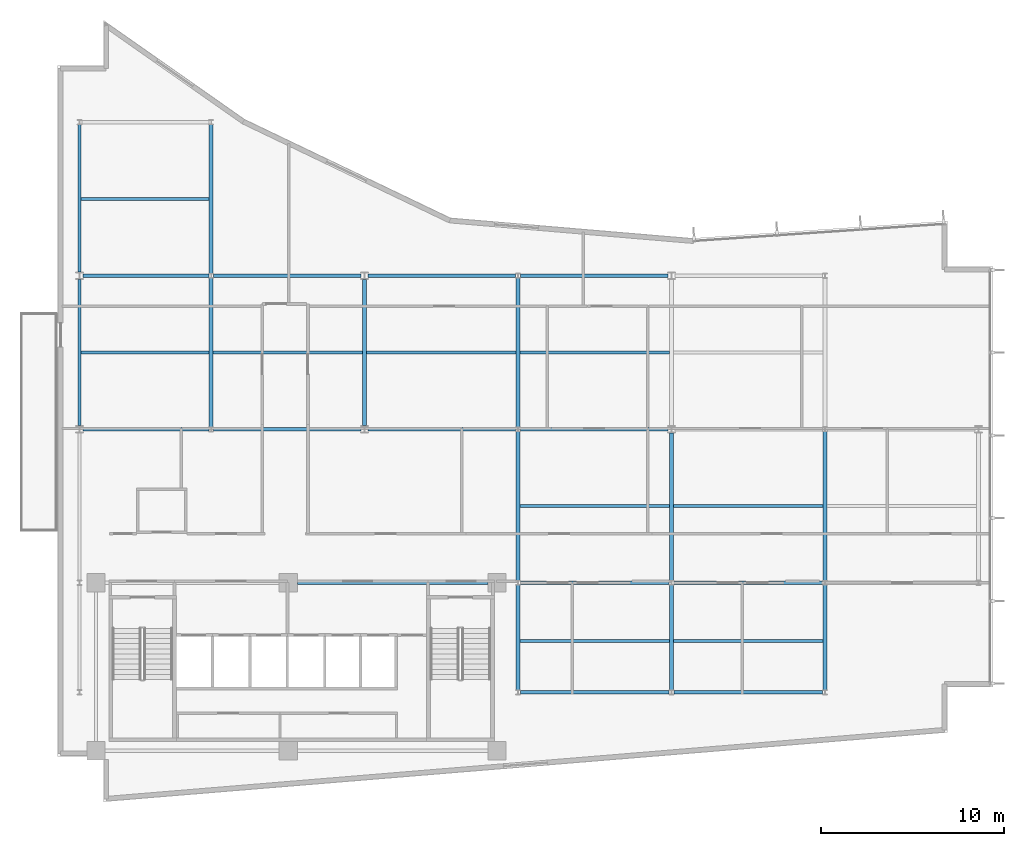
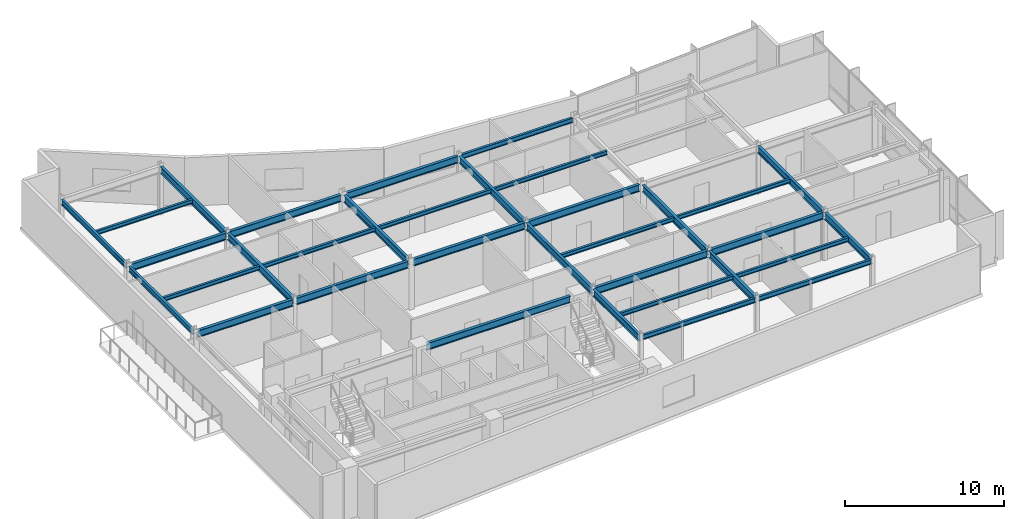
# One storey, part 4 of 15: 34 beams.
"""IFC4 building model written with IfcOpenShell, lengths in metres."""

from ifc_helpers import new_model, si_unit, direction, frame, origin, origin_2d, place, context, subcontext, project, spatial, i_section, extrude, material, material_profile, profile_set, type_object, element, save


model = new_model("IFC4")

# Units and contexts
model_context = context("Model", 3, precision=1e-05, world=origin(), true_north=direction((0.0, 1.0)))
body_context = subcontext(model_context, "Body", "Model", "MODEL_VIEW")
ifc_project = project(units=[si_unit("LENGTHUNIT", "METRE"), si_unit("AREAUNIT", "SQUARE_METRE"), si_unit("VOLUMEUNIT", "CUBIC_METRE"), si_unit("PLANEANGLEUNIT", "RADIAN"), si_unit("MASSUNIT", "GRAM", prefix="KILO")], contexts=[model_context])

# Site, building, storey
site_placement = place(None, origin())
site = spatial("IfcSite", under=ifc_project, at=site_placement, CompositionType="ELEMENT")
building_placement = place(site_placement, origin())
building = spatial("IfcBuilding", under=site, at=building_placement, Name="Varnakote Quay Hospital", CompositionType="ELEMENT")
storey_placement = place(building_placement, frame((0.0, 0.0, 207.89990234375)))
storey = spatial("IfcBuildingStorey", under=building, at=storey_placement, Name="L51", CompositionType="ELEMENT", Elevation=207.89990234375)

# Beams
ifc_material_1 = material(Name="Structural steel AS/NZS 3679.1 Grade 350 L0 (fy 340 MPa)", Category="steel")
ifc_material_profile_1 = material_profile(ifc_material_1, i_section(OverallWidth=0.208984375, OverallDepth=0.528076171875, WebThickness=0.009521484375, FlangeThickness=0.01318359375, FilletRadius=0.013916015625, at=origin_2d()), Name="530UB82.0")
ifc_profile_set_1 = profile_set([ifc_material_profile_1], Name="Structural steel AS/NZS 3679.1 Grade 350 L0 (fy 340 MPa)")
beam_type_1 = type_object("IfcBeamType", Name="BM-STL-530UB82-0", PredefinedType="BEAM", material=ifc_profile_set_1)
beam_1_placement = place(storey_placement, frame((8.39990234375, 20.530029296875, 3.446044921875), z_axis=(0.0, 1.0, 0.0), x_axis=(-1.0, 0.0, 0.0)))
element("IfcBeam", 1, at=beam_1_placement, inside=storey, type_object=beam_type_1, Name="L51 Primary Tie Beam", PredefinedType="BEAM", context=body_context, shape_type="SweptSolid", body=[
    extrude(i_section(OverallWidth=0.208984375, OverallDepth=0.528076171875, WebThickness=0.009521484375, FlangeThickness=0.01318359375, FilletRadius=0.013916015625, at=origin_2d()), origin(), (0.0, 0.0, 1.0), 8.139892578125),
])
beam_2_placement = place(storey_placement, frame((8.39990234375, 28.929931640625, 3.446044921875), z_axis=(0.0, 1.0, 0.0), x_axis=(-1.0, 0.0, 0.0)))
element("IfcBeam", 2, at=beam_2_placement, inside=storey, type_object=beam_type_1, Name="L51 Primary Tie Beam", PredefinedType="BEAM", context=body_context, shape_type="SweptSolid", body=[
    extrude(i_section(OverallWidth=0.208984375, OverallDepth=0.528076171875, WebThickness=0.009521484375, FlangeThickness=0.01318359375, FilletRadius=0.013916015625, at=origin_2d()), origin(), (0.0, 0.0, 1.0), 8.14013671875),
])
beam_3_placement = place(storey_placement, frame((16.800048828125, 20.60205078125, 3.446044921875), z_axis=(0.0, 1.0, 0.0), x_axis=(-1.0, 0.0, 0.0)))
element("IfcBeam", 3, at=beam_3_placement, inside=storey, type_object=beam_type_1, Name="L51 Primary Tie Beam", PredefinedType="BEAM", context=body_context, shape_type="SweptSolid", body=[
    extrude(i_section(OverallWidth=0.208984375, OverallDepth=0.528076171875, WebThickness=0.009521484375, FlangeThickness=0.01318359375, FilletRadius=0.013916015625, at=origin_2d()), origin(), (0.0, 0.0, 1.0), 7.995849609375),
])
beam_4_placement = place(storey_placement, frame((25.199951171875, 6.1298828125, 3.446044921875), z_axis=(0.0, 1.0, 0.0), x_axis=(-1.0, 0.0, 0.0)))
element("IfcBeam", 4, at=beam_4_placement, inside=storey, type_object=beam_type_1, Name="L51 Primary Tie Beam", PredefinedType="BEAM", context=body_context, shape_type="SweptSolid", body=[
    extrude(i_section(OverallWidth=0.208984375, OverallDepth=0.528076171875, WebThickness=0.009521484375, FlangeThickness=0.01318359375, FilletRadius=0.013916015625, at=origin_2d()), origin(), (0.0, 0.0, 1.0), 5.740234375),
])
beam_5_placement = place(storey_placement, frame((25.199951171875, 12.1298828125, 3.446044921875), z_axis=(0.0, 1.0, 0.0), x_axis=(-1.0, 0.0, 0.0)))
element("IfcBeam", 5, at=beam_5_placement, inside=storey, type_object=beam_type_1, Name="L51 Primary Tie Beam", PredefinedType="BEAM", context=body_context, shape_type="SweptSolid", body=[
    extrude(i_section(OverallWidth=0.208984375, OverallDepth=0.528076171875, WebThickness=0.009521484375, FlangeThickness=0.01318359375, FilletRadius=0.013916015625, at=origin_2d()), origin(), (0.0, 0.0, 1.0), 8.14013671875),
])
beam_6_placement = place(storey_placement, frame((25.199951171875, 20.530029296875, 3.446044921875), z_axis=(0.0, 1.0, 0.0), x_axis=(-1.0, 0.0, 0.0)))
element("IfcBeam", 6, at=beam_6_placement, inside=storey, type_object=beam_type_1, Name="L51 Primary Tie Beam", PredefinedType="BEAM", context=body_context, shape_type="SweptSolid", body=[
    extrude(i_section(OverallWidth=0.208984375, OverallDepth=0.528076171875, WebThickness=0.009521484375, FlangeThickness=0.01318359375, FilletRadius=0.013916015625, at=origin_2d()), origin(), (0.0, 0.0, 1.0), 8.139892578125),
])
beam_7_placement = place(storey_placement, frame((33.60009765625, 6.1298828125, 3.446044921875), z_axis=(0.0, 1.0, 0.0), x_axis=(-1.0, 0.0, 0.0)))
element("IfcBeam", 7, at=beam_7_placement, inside=storey, type_object=beam_type_1, Name="L51 Primary Tie Beam", PredefinedType="BEAM", context=body_context, shape_type="SweptSolid", body=[
    extrude(i_section(OverallWidth=0.208984375, OverallDepth=0.528076171875, WebThickness=0.009521484375, FlangeThickness=0.01318359375, FilletRadius=0.013916015625, at=origin_2d()), origin(), (0.0, 0.0, 1.0), 5.740234375),
])
beam_8_placement = place(storey_placement, frame((33.60009765625, 12.1298828125, 3.446044921875), z_axis=(0.0, 1.0, 0.0), x_axis=(-1.0, 0.0, 0.0)))
element("IfcBeam", 8, at=beam_8_placement, inside=storey, type_object=beam_type_1, Name="L51 Primary Tie Beam", PredefinedType="BEAM", context=body_context, shape_type="SweptSolid", body=[
    extrude(i_section(OverallWidth=0.208984375, OverallDepth=0.528076171875, WebThickness=0.009521484375, FlangeThickness=0.01318359375, FilletRadius=0.013916015625, at=origin_2d()), origin(), (0.0, 0.0, 1.0), 8.068115234375),
])
beam_9_placement = place(storey_placement, frame((42.0, 6.1298828125, 3.446044921875), z_axis=(0.0, 1.0, 0.0), x_axis=(-1.0, 0.0, 0.0)))
element("IfcBeam", 9, at=beam_9_placement, inside=storey, type_object=beam_type_1, Name="L51 Primary Tie Beam", PredefinedType="BEAM", context=body_context, shape_type="SweptSolid", body=[
    extrude(i_section(OverallWidth=0.208984375, OverallDepth=0.528076171875, WebThickness=0.009521484375, FlangeThickness=0.01318359375, FilletRadius=0.013916015625, at=origin_2d()), origin(), (0.0, 0.0, 1.0), 5.740234375),
])
beam_10_placement = place(storey_placement, frame((42.0, 12.1298828125, 3.446044921875), z_axis=(0.0, 1.0, 0.0), x_axis=(-1.0, 0.0, 0.0)))
element("IfcBeam", 10, at=beam_10_placement, inside=storey, type_object=beam_type_1, Name="L51 Primary Tie Beam", PredefinedType="BEAM", context=body_context, shape_type="SweptSolid", body=[
    extrude(i_section(OverallWidth=0.208984375, OverallDepth=0.528076171875, WebThickness=0.009521484375, FlangeThickness=0.01318359375, FilletRadius=0.013916015625, at=origin_2d()), origin(), (0.0, 0.0, 1.0), 8.14013671875),
])
ifc_material_2 = material(Name="Structural steel AS/NZS 3679.1 Grade 350 L0 (fy 340 MPa)", Category="steel")
ifc_material_profile_2 = material_profile(ifc_material_2, i_section(OverallWidth=0.208984375, OverallDepth=0.532958984375, WebThickness=0.01025390625, FlangeThickness=0.015625, FilletRadius=0.013916015625, at=origin_2d()), Name="530UB92.4")
ifc_profile_set_2 = profile_set([ifc_material_profile_2], Name="Structural steel AS/NZS 3679.1 Grade 350 L0 (fy 340 MPa)")
beam_type_2 = type_object("IfcBeamType", Name="BM-STL-530UB92-4", PredefinedType="BEAM", material=ifc_profile_set_2)
beam_11_placement = place(storey_placement, frame((13.1201171875, 12.0, 3.443603515625), z_axis=(1.0, 0.0, 0.0), x_axis=(0.0, 1.0, 0.0)))
element("IfcBeam", 11, at=beam_11_placement, inside=storey, type_object=beam_type_2, Name="L51 Primary Floor Beam", PredefinedType="BEAM", context=body_context, shape_type="SweptSolid", body=[
    extrude(i_section(OverallWidth=0.208984375, OverallDepth=0.532958984375, WebThickness=0.01025390625, FlangeThickness=0.015625, FilletRadius=0.013916015625, at=origin_2d()), origin(), (0.0, 0.0, 1.0), 10.429931640625),
])
for number, where, z_axis, x_axis, name in (
    (12, (25.327880859375, 12.0, 3.443603515625), (1.0, 0.0, 0.0), (0.0, 1.0, 0.0), "L51 Primary Floor Beam"),
    (13, (33.72802734375, 12.0, 3.443603515625), (1.0, 0.0, 0.0), (0.0, 1.0, 0.0), "L51 Primary Floor Beam"),
):
    element("IfcBeam", number, at=place(storey_placement, frame(where, z_axis=z_axis, x_axis=x_axis)), inside=storey, type_object=beam_type_2, Name=name, PredefinedType="BEAM", context=body_context, shape_type="SweptSolid", body=[
        extrude(i_section(OverallWidth=0.208984375, OverallDepth=0.532958984375, WebThickness=0.01025390625, FlangeThickness=0.015625, FilletRadius=0.013916015625, at=origin_2d()), origin(), (0.0, 0.0, 1.0), 8.14404296875),
    ])
beam_12_placement = place(storey_placement, frame((1.39990234375, 20.39990234375, 3.443603515625), z_axis=(1.0, 0.0, 0.0), x_axis=(0.0, 1.0, 0.0)))
element("IfcBeam", 14, at=beam_12_placement, inside=storey, type_object=beam_type_2, Name="L51 Primary Floor Beam", PredefinedType="BEAM", context=body_context, shape_type="SweptSolid", body=[
    extrude(i_section(OverallWidth=0.208984375, OverallDepth=0.532958984375, WebThickness=0.01025390625, FlangeThickness=0.015625, FilletRadius=0.013916015625, at=origin_2d()), origin(), (0.0, 0.0, 1.0), 6.8720703125),
])
for number, where, z_axis, x_axis, name in (
    (15, (8.528076171875, 20.39990234375, 3.443603515625), (1.0, 0.0, 0.0), (0.0, 1.0, 0.0), "L51 Primary Floor Beam"),
    (16, (17.0, 20.39990234375, 3.443603515625), (1.0, 0.0, 0.0), (0.0, 1.0, 0.0), "L51 Primary Floor Beam"),
    (17, (25.327880859375, 20.39990234375, 3.443603515625), (1.0, 0.0, 0.0), (0.0, 1.0, 0.0), "L51 Primary Floor Beam"),
):
    element("IfcBeam", number, at=place(storey_placement, frame(where, z_axis=z_axis, x_axis=x_axis)), inside=storey, type_object=beam_type_2, Name=name, PredefinedType="BEAM", context=body_context, shape_type="SweptSolid", body=[
        extrude(i_section(OverallWidth=0.208984375, OverallDepth=0.532958984375, WebThickness=0.01025390625, FlangeThickness=0.015625, FilletRadius=0.013916015625, at=origin_2d()), origin(), (0.0, 0.0, 1.0), 8.072021484375),
    ])
beam_13_placement = place(storey_placement, frame((1.39990234375, 28.800048828125, 3.443603515625), z_axis=(1.0, 0.0, 0.0), x_axis=(0.0, 1.0, 0.0)))
element("IfcBeam", 18, at=beam_13_placement, inside=storey, type_object=beam_type_2, Name="L51 Primary Floor Beam", PredefinedType="BEAM", context=body_context, shape_type="SweptSolid", body=[
    extrude(i_section(OverallWidth=0.208984375, OverallDepth=0.532958984375, WebThickness=0.01025390625, FlangeThickness=0.015625, FilletRadius=0.013916015625, at=origin_2d()), origin(), (0.0, 0.0, 1.0), 6.8720703125),
])
for number, where, z_axis, x_axis, name in (
    (19, (8.528076171875, 28.800048828125, 3.443603515625), (1.0, 0.0, 0.0), (0.0, 1.0, 0.0), "L51 Primary Floor Beam"),
    (20, (17.0, 28.800048828125, 3.443603515625), (1.0, 0.0, 0.0), (0.0, 1.0, 0.0), "L51 Primary Floor Beam"),
):
    element("IfcBeam", number, at=place(storey_placement, frame(where, z_axis=z_axis, x_axis=x_axis)), inside=storey, type_object=beam_type_2, Name=name, PredefinedType="BEAM", context=body_context, shape_type="SweptSolid", body=[
        extrude(i_section(OverallWidth=0.208984375, OverallDepth=0.532958984375, WebThickness=0.01025390625, FlangeThickness=0.015625, FilletRadius=0.013916015625, at=origin_2d()), origin(), (0.0, 0.0, 1.0), 8.072021484375),
    ])
ifc_material_3 = material(Name="Structural steel AS/NZS 3679.1 Grade 350 L0 (fy 340 MPa)", Category="steel")
ifc_material_profile_3 = material_profile(ifc_material_3, i_section(OverallWidth=0.166015625, OverallDepth=0.306884765625, WebThickness=0.006591796875, FlangeThickness=0.01171875, FilletRadius=0.011474609375, at=origin_2d()), Name="310UB46.2")
ifc_profile_set_3 = profile_set([ifc_material_profile_3], Name="Structural steel AS/NZS 3679.1 Grade 350 L0 (fy 340 MPa)")
beam_type_3 = type_object("IfcBeamType", Name="JST-STL-310UB46-2", PredefinedType="JOIST", material=ifc_profile_set_3)
beam_14_placement = place(storey_placement, frame((25.304443359375, 8.800048828125, 3.556640625), z_axis=(1.0, 0.0, 0.0), x_axis=(0.0, 1.0, 0.0)))
element("IfcBeam", 21, at=beam_14_placement, inside=storey, type_object=beam_type_3, Name="L51 Composite Floor Joist", PredefinedType="JOIST", context=body_context, shape_type="SweptSolid", body=[
    extrude(i_section(OverallWidth=0.166015625, OverallDepth=0.306884765625, WebThickness=0.006591796875, FlangeThickness=0.01171875, FilletRadius=0.011474609375, at=origin_2d()), origin(), (0.0, 0.0, 1.0), 8.191162109375),
])
beam_15_placement = place(storey_placement, frame((33.70458984375, 8.800048828125, 3.556640625), z_axis=(1.0, 0.0, 0.0), x_axis=(0.0, 1.0, 0.0)))
element("IfcBeam", 22, at=beam_15_placement, inside=storey, type_object=beam_type_3, Name="L51 Composite Floor Joist", PredefinedType="JOIST", context=body_context, shape_type="SweptSolid", body=[
    extrude(i_section(OverallWidth=0.166015625, OverallDepth=0.306884765625, WebThickness=0.006591796875, FlangeThickness=0.01171875, FilletRadius=0.011474609375, at=origin_2d()), origin(), (0.0, 0.0, 1.0), 8.19091796875),
])
beam_16_placement = place(storey_placement, frame((25.304443359375, 16.199951171875, 3.556640625), z_axis=(1.0, 0.0, 0.0), x_axis=(0.0, 1.0, 0.0)))
element("IfcBeam", 23, at=beam_16_placement, inside=storey, type_object=beam_type_3, Name="L51 Composite Floor Joist", PredefinedType="JOIST", context=body_context, shape_type="SweptSolid", body=[
    extrude(i_section(OverallWidth=0.166015625, OverallDepth=0.306884765625, WebThickness=0.006591796875, FlangeThickness=0.01171875, FilletRadius=0.011474609375, at=origin_2d()), origin(), (0.0, 0.0, 1.0), 8.191162109375),
])
beam_17_placement = place(storey_placement, frame((33.70458984375, 16.199951171875, 3.556640625), z_axis=(1.0, 0.0, 0.0), x_axis=(0.0, 1.0, 0.0)))
element("IfcBeam", 24, at=beam_17_placement, inside=storey, type_object=beam_type_3, Name="L51 Composite Floor Joist", PredefinedType="JOIST", context=body_context, shape_type="SweptSolid", body=[
    extrude(i_section(OverallWidth=0.166015625, OverallDepth=0.306884765625, WebThickness=0.006591796875, FlangeThickness=0.01171875, FilletRadius=0.011474609375, at=origin_2d()), origin(), (0.0, 0.0, 1.0), 8.19091796875),
])
beam_18_placement = place(storey_placement, frame((1.2890625, 24.60009765625, 3.556640625), z_axis=(1.0, 0.0, 0.0), x_axis=(0.0, 1.0, 0.0)))
element("IfcBeam", 25, at=beam_18_placement, inside=storey, type_object=beam_type_3, Name="L51 Composite Floor Joist", PredefinedType="JOIST", context=body_context, shape_type="SweptSolid", body=[
    extrude(i_section(OverallWidth=0.166015625, OverallDepth=0.306884765625, WebThickness=0.006591796875, FlangeThickness=0.01171875, FilletRadius=0.011474609375, at=origin_2d()), origin(), (0.0, 0.0, 1.0), 7.00634765625),
])
beam_19_placement = place(storey_placement, frame((8.50439453125, 24.60009765625, 3.556640625), z_axis=(1.0, 0.0, 0.0), x_axis=(0.0, 1.0, 0.0)))
element("IfcBeam", 26, at=beam_19_placement, inside=storey, type_object=beam_type_3, Name="L51 Composite Floor Joist", PredefinedType="JOIST", context=body_context, shape_type="SweptSolid", body=[
    extrude(i_section(OverallWidth=0.166015625, OverallDepth=0.306884765625, WebThickness=0.006591796875, FlangeThickness=0.01171875, FilletRadius=0.011474609375, at=origin_2d()), origin(), (0.0, 0.0, 1.0), 8.191162109375),
])
beam_20_placement = place(storey_placement, frame((16.904541015625, 24.60009765625, 3.556640625), z_axis=(1.0, 0.0, 0.0), x_axis=(0.0, 1.0, 0.0)))
element("IfcBeam", 27, at=beam_20_placement, inside=storey, type_object=beam_type_3, Name="L51 Composite Floor Joist", PredefinedType="JOIST", context=body_context, shape_type="SweptSolid", body=[
    extrude(i_section(OverallWidth=0.166015625, OverallDepth=0.306884765625, WebThickness=0.006591796875, FlangeThickness=0.01171875, FilletRadius=0.011474609375, at=origin_2d()), origin(), (0.0, 0.0, 1.0), 8.19091796875),
])
beam_21_placement = place(storey_placement, frame((25.304443359375, 24.60009765625, 3.556640625), z_axis=(1.0, 0.0, 0.0), x_axis=(0.0, 1.0, 0.0)))
element("IfcBeam", 28, at=beam_21_placement, inside=storey, type_object=beam_type_3, Name="L51 Composite Floor Joist", PredefinedType="JOIST", context=body_context, shape_type="SweptSolid", body=[
    extrude(i_section(OverallWidth=0.166015625, OverallDepth=0.306884765625, WebThickness=0.006591796875, FlangeThickness=0.01171875, FilletRadius=0.011474609375, at=origin_2d()), origin(), (0.0, 0.0, 1.0), 8.191162109375),
])
beam_22_placement = place(storey_placement, frame((1.2890625, 33.0, 3.556640625), z_axis=(1.0, 0.0, 0.0), x_axis=(0.0, 1.0, 0.0)))
element("IfcBeam", 29, at=beam_22_placement, inside=storey, type_object=beam_type_3, Name="L51 Composite Floor Joist", PredefinedType="JOIST", context=body_context, shape_type="SweptSolid", body=[
    extrude(i_section(OverallWidth=0.166015625, OverallDepth=0.306884765625, WebThickness=0.006591796875, FlangeThickness=0.01171875, FilletRadius=0.011474609375, at=origin_2d()), origin(), (0.0, 0.0, 1.0), 7.00634765625),
])
ifc_material_4 = material(Name="Structural steel AS/NZS 3679.1 Grade 350 L0 (fy 340 MPa)", Category="steel")
ifc_material_profile_4 = material_profile(ifc_material_4, i_section(OverallWidth=0.172119140625, OverallDepth=0.35888671875, WebThickness=0.008056640625, FlangeThickness=0.012939453125, FilletRadius=0.011474609375, at=origin_2d()), Name="360UB56.7")
ifc_profile_set_4 = profile_set([ifc_material_profile_4], Name="Structural steel AS/NZS 3679.1 Grade 350 L0 (fy 340 MPa)")
beam_type_4 = type_object("IfcBeamType", Name="SPN-STL-360UB56-7", PredefinedType="SPANDREL", material=ifc_profile_set_4)
for number, where, z_axis, x_axis, name in (
    (30, (25.327880859375, 6.0, 3.530517578125), (1.0, 0.0, 0.0), (0.0, 1.0, 0.0), "L51 Perimeter Spandrel Beam"),
    (31, (33.72802734375, 6.0, 3.530517578125), (1.0, 0.0, 0.0), (0.0, 1.0, 0.0), "L51 Perimeter Spandrel Beam"),
):
    element("IfcBeam", number, at=place(storey_placement, frame(where, z_axis=z_axis, x_axis=x_axis)), inside=storey, type_object=beam_type_4, Name=name, PredefinedType="SPANDREL", context=body_context, shape_type="SweptSolid", body=[
        extrude(i_section(OverallWidth=0.172119140625, OverallDepth=0.35888671875, WebThickness=0.008056640625, FlangeThickness=0.012939453125, FilletRadius=0.011474609375, at=origin_2d()), origin(), (0.0, 0.0, 1.0), 8.14404296875),
    ])
beam_23_placement = place(storey_placement, frame((25.327880859375, 28.800048828125, 3.530517578125), z_axis=(1.0, 0.0, 0.0), x_axis=(0.0, 1.0, 0.0)))
element("IfcBeam", 32, at=beam_23_placement, inside=storey, type_object=beam_type_4, Name="L51 Perimeter Spandrel Beam", PredefinedType="SPANDREL", context=body_context, shape_type="SweptSolid", body=[
    extrude(i_section(OverallWidth=0.172119140625, OverallDepth=0.35888671875, WebThickness=0.008056640625, FlangeThickness=0.012939453125, FilletRadius=0.011474609375, at=origin_2d()), origin(), (0.0, 0.0, 1.0), 8.072021484375),
])
ifc_material_5 = material(Name="Structural steel AS/NZS 3679.1 Grade 350 L0 (fy 340 MPa)", Category="steel")
ifc_material_profile_5 = material_profile(ifc_material_5, i_section(OverallWidth=0.177978515625, OverallDepth=0.403076171875, WebThickness=0.007568359375, FlangeThickness=0.010986328125, FilletRadius=0.011474609375, at=origin_2d()), Name="410UB53.7")
ifc_profile_set_5 = profile_set([ifc_material_profile_5], Name="Structural steel AS/NZS 3679.1 Grade 350 L0 (fy 340 MPa)")
beam_type_5 = type_object("IfcBeamType", Name="SPN-STL-410UB53-7", PredefinedType="SPANDREL", material=ifc_profile_set_5)
beam_24_placement = place(storey_placement, frame((1.199951171875, 20.60205078125, 3.508544921875), z_axis=(0.0, 1.0, 0.0), x_axis=(-1.0, 0.0, 0.0)))
element("IfcBeam", 33, at=beam_24_placement, inside=storey, type_object=beam_type_5, Name="L51 Perimeter Spandrel Beam", PredefinedType="SPANDREL", context=body_context, shape_type="SweptSolid", body=[
    extrude(i_section(OverallWidth=0.177978515625, OverallDepth=0.403076171875, WebThickness=0.007568359375, FlangeThickness=0.010986328125, FilletRadius=0.011474609375, at=origin_2d()), origin(), (0.0, 0.0, 1.0), 7.995849609375),
])
beam_25_placement = place(storey_placement, frame((1.199951171875, 29.001953125, 3.508544921875), z_axis=(0.0, 1.0, 0.0), x_axis=(-1.0, 0.0, 0.0)))
element("IfcBeam", 34, at=beam_25_placement, inside=storey, type_object=beam_type_5, Name="L51 Perimeter Spandrel Beam", PredefinedType="SPANDREL", context=body_context, shape_type="SweptSolid", body=[
    extrude(i_section(OverallWidth=0.177978515625, OverallDepth=0.403076171875, WebThickness=0.007568359375, FlangeThickness=0.010986328125, FilletRadius=0.011474609375, at=origin_2d()), origin(), (0.0, 0.0, 1.0), 8.068115234375),
])

save(model, "model.ifc")
